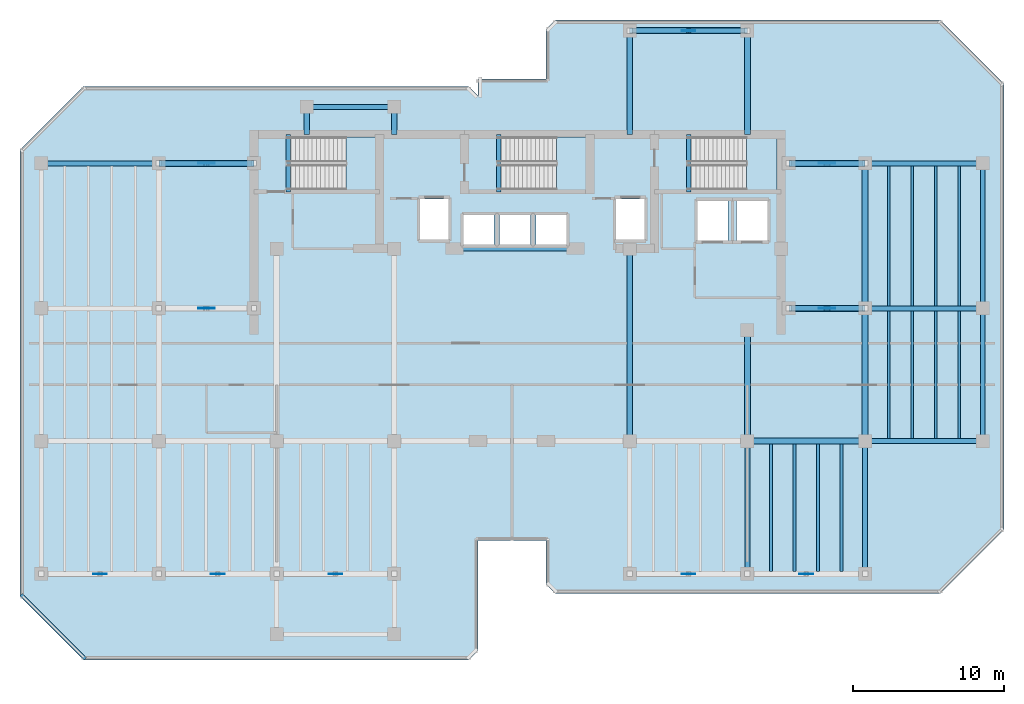
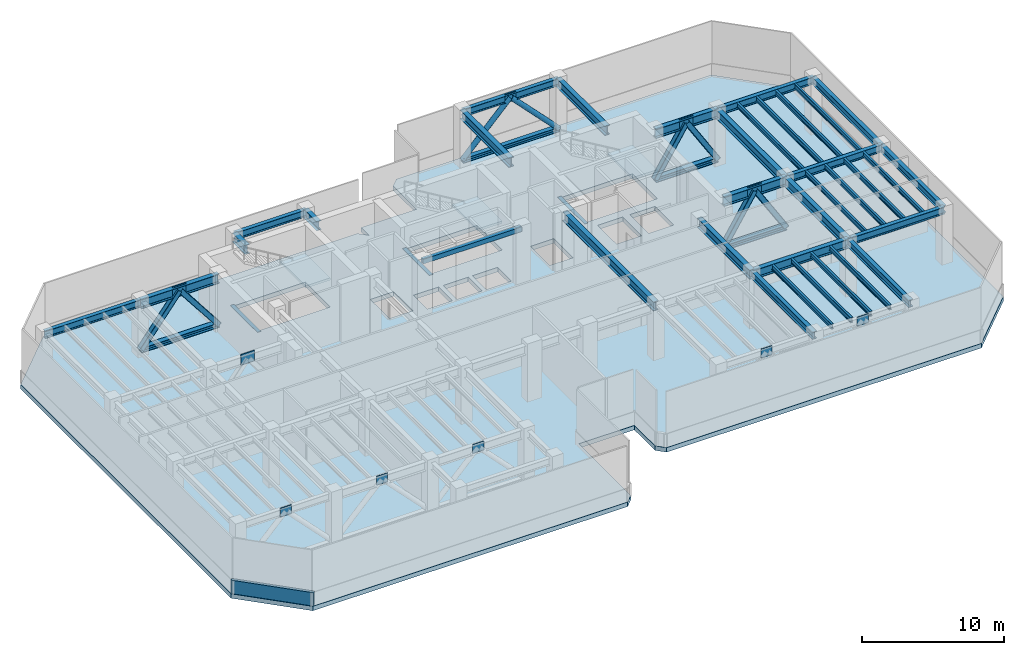
# One storey, part 2 of 9: 38 beams, 12 members, 10 plates, 4 slabs, 1 wall, 3 elements without a shape of their own.
"""IFC4 building model written with IfcOpenShell, lengths in metres."""

from ifc_helpers import new_model, si_unit, direction, frame, frame_2d, origin, origin_2d, place, context, subcontext, project, spatial, polyline, rectangle, hollow_rectangle, hollow_circle, i_section, outline, extrude, material, layer, layer_set, material_profile, profile_set, type_object, element, aggregate, save


model = new_model("IFC4")

# Units and contexts
model_context = context("Model", 3, precision=1e-05, world=origin(), true_north=direction((0.0, 1.0)))
body_context = subcontext(model_context, "Body", "Model", "MODEL_VIEW")
ifc_project = project(units=[si_unit("LENGTHUNIT", "METRE"), si_unit("AREAUNIT", "SQUARE_METRE"), si_unit("VOLUMEUNIT", "CUBIC_METRE"), si_unit("PLANEANGLEUNIT", "RADIAN"), si_unit("MASSUNIT", "GRAM", prefix="KILO")], contexts=[model_context])

# Site, building, storey
site_placement = place(None, origin())
site = spatial("IfcSite", under=ifc_project, at=site_placement, CompositionType="ELEMENT")
building_placement = place(site_placement, origin())
building = spatial("IfcBuilding", under=site, at=building_placement, Name="Kestravale Grand Hotel", CompositionType="ELEMENT")
storey_placement = place(building_placement, frame((0.0, 0.0, 240.39990234375)))
storey = spatial("IfcBuildingStorey", under=building, at=storey_placement, Name="L60", CompositionType="ELEMENT", Elevation=240.39990234375)

# Beams
ifc_material_1 = material(Name="Steel ASTM A992 Grade 50", Category="steel")
ifc_material_profile_1 = material_profile(ifc_material_1, i_section(OverallWidth=0.177978515625, OverallDepth=0.404052734375, WebThickness=0.007568359375, FlangeThickness=0.010986328125, FilletRadius=0.01416015625, at=origin_2d()))
ifc_profile_set_1 = profile_set([ifc_material_profile_1], Name="Steel ASTM A992 Grade 50")
beam_type_1 = type_object("IfcBeamType", Name="B-FLR-JST16", PredefinedType="JOIST", material=ifc_profile_set_1)
for number, where, z_axis, x_axis, name in (
    (1, (56.159912109375, 11.362548828125, 4.508056640625), (0.0, 1.0, 0.0), (-1.0, 0.0, 0.0), "L60 floor joist 9-10/C-D #1"),
    (2, (57.719970703125, 11.362548828125, 4.508056640625), (0.0, 1.0, 0.0), (-1.0, 0.0, 0.0), "L60 floor joist 9-10/C-D #2"),
    (3, (59.280029296875, 11.362548828125, 4.508056640625), (0.0, 1.0, 0.0), (-1.0, 0.0, 0.0), "L60 floor joist 9-10/C-D #3"),
    (4, (60.840087890625, 11.362548828125, 4.508056640625), (0.0, 1.0, 0.0), (-1.0, 0.0, 0.0), "L60 floor joist 9-10/C-D #4"),
):
    element("IfcBeam", number, at=place(storey_placement, frame(where, z_axis=z_axis, x_axis=x_axis)), inside=storey, type_object=beam_type_1, Name=name, PredefinedType="JOIST", context=body_context, shape_type="SweptSolid", body=[
        extrude(i_section(OverallWidth=0.177978515625, OverallDepth=0.404052734375, WebThickness=0.007568359375, FlangeThickness=0.010986328125, FilletRadius=0.01416015625, at=origin_2d()), origin(), (0.0, 0.0, 1.0), 8.447021484375),
    ])
for number, where, z_axis, x_axis, name in (
    (5, (63.9599609375, 20.16259765625, 4.508056640625), (0.0, 1.0, 0.0), (-1.0, 0.0, 0.0), "L60 floor joist 10-11/D-E #1"),
    (6, (65.52001953125, 20.16259765625, 4.508056640625), (0.0, 1.0, 0.0), (-1.0, 0.0, 0.0), "L60 floor joist 10-11/D-E #2"),
    (7, (67.080078125, 20.16259765625, 4.508056640625), (0.0, 1.0, 0.0), (-1.0, 0.0, 0.0), "L60 floor joist 10-11/D-E #3"),
    (8, (68.639892578125, 20.16259765625, 4.508056640625), (0.0, 1.0, 0.0), (-1.0, 0.0, 0.0), "L60 floor joist 10-11/D-E #4"),
):
    element("IfcBeam", number, at=place(storey_placement, frame(where, z_axis=z_axis, x_axis=x_axis)), inside=storey, type_object=beam_type_1, Name=name, PredefinedType="JOIST", context=body_context, shape_type="SweptSolid", body=[
        extrude(i_section(OverallWidth=0.177978515625, OverallDepth=0.404052734375, WebThickness=0.007568359375, FlangeThickness=0.010986328125, FilletRadius=0.01416015625, at=origin_2d()), origin(), (0.0, 0.0, 1.0), 8.474853515625),
    ])
for number, where, z_axis, x_axis, name in (
    (9, (63.9599609375, 28.96240234375, 4.508056640625), (0.0, 1.0, 0.0), (-1.0, 0.0, 0.0), "L60 floor joist 10-11/E-F #1"),
    (10, (65.52001953125, 28.96240234375, 4.508056640625), (0.0, 1.0, 0.0), (-1.0, 0.0, 0.0), "L60 floor joist 10-11/E-F #2"),
    (11, (67.080078125, 28.96240234375, 4.508056640625), (0.0, 1.0, 0.0), (-1.0, 0.0, 0.0), "L60 floor joist 10-11/E-F #3"),
    (12, (68.639892578125, 28.96240234375, 4.508056640625), (0.0, 1.0, 0.0), (-1.0, 0.0, 0.0), "L60 floor joist 10-11/E-F #4"),
):
    element("IfcBeam", number, at=place(storey_placement, frame(where, z_axis=z_axis, x_axis=x_axis)), inside=storey, type_object=beam_type_1, Name=name, PredefinedType="JOIST", context=body_context, shape_type="SweptSolid", body=[
        extrude(i_section(OverallWidth=0.177978515625, OverallDepth=0.404052734375, WebThickness=0.007568359375, FlangeThickness=0.010986328125, FilletRadius=0.01416015625, at=origin_2d()), origin(), (0.0, 0.0, 1.0), 9.275146484375),
    ])
ifc_material_2 = material(Name="Concrete f'c 45 MPa", Category="concrete")
ifc_material_profile_2 = material_profile(ifc_material_2, rectangle(XDim=0.300048828125, YDim=0.39990234375, at=origin_2d()))
ifc_profile_set_2 = profile_set([ifc_material_profile_2], Name="Concrete f'c 45 MPa")
beam_type_2 = type_object("IfcBeamType", Name="B-FLR-LNT400", PredefinedType="LINTEL", material=ifc_profile_set_2)
beam_1_placement = place(storey_placement, frame((35.199951171875, 32.75, 4.510009765625), z_axis=(1.0, 0.0, 0.0), x_axis=(0.0, 1.0, 0.0)))
element("IfcBeam", 13, at=beam_1_placement, inside=storey, type_object=beam_type_2, Name="L60 core portal header lintel", PredefinedType="LINTEL", context=body_context, shape_type="SweptSolid", body=[
    extrude(rectangle(XDim=0.300048828125, YDim=0.39990234375, at=origin_2d()), origin(), (0.0, 0.0, 1.0), 8.0),
])
for number, where, z_axis, x_axis, name in (
    (14, (24.159912109375, 36.52001953125, -0.199951171875), (0.0, 1.0, 0.0), (-1.0, 0.0, 0.0), "L60 ST1 flight bottom header beam"),
    (15, (38.110107421875, 36.52001953125, -0.199951171875), (0.0, 1.0, 0.0), (-1.0, 0.0, 0.0), "L60 ST2 flight bottom header beam"),
    (16, (50.7099609375, 36.52001953125, -0.199951171875), (0.0, 1.0, 0.0), (-1.0, 0.0, 0.0), "L60 ST3 flight bottom header beam"),
):
    element("IfcBeam", number, at=place(storey_placement, frame(where, z_axis=z_axis, x_axis=x_axis)), inside=storey, type_object=beam_type_2, Name=name, PredefinedType="LINTEL", context=body_context, shape_type="SweptSolid", body=[
        extrude(rectangle(XDim=0.300048828125, YDim=0.39990234375, at=origin_2d()), origin(), (0.0, 0.0, 1.0), 3.800048828125),
    ])
ifc_material_3 = material(Name="Steel ASTM A992 Grade 50", Category="steel")
ifc_material_profile_3 = material_profile(ifc_material_3, i_section(OverallWidth=0.324951171875, OverallDepth=0.612060546875, WebThickness=0.0126953125, FlangeThickness=0.01904296875, FilletRadius=0.018798828125, at=origin_2d()))
ifc_profile_set_3 = profile_set([ifc_material_profile_3], Name="Steel ASTM A992 Grade 50")
beam_type_3 = type_object("IfcBeamType", Name="B-FLR-W24A", PredefinedType="SPANDREL", material=ifc_profile_set_3)
for number, where, z_axis, x_axis, name in (
    (17, (62.39990234375, 20.0, 4.404052734375), (1.0, 0.0, 0.0), (0.0, 1.0, 0.0), "L60 spandrel D:10-11"),
    (18, (62.39990234375, 28.800048828125, 4.404052734375), (1.0, 0.0, 0.0), (0.0, 1.0, 0.0), "L60 spandrel E:10-11"),
    (19, (7.800048828125, 38.39990234375, 4.404052734375), (1.0, 0.0, 0.0), (0.0, 1.0, 0.0), "L60 spandrel F:2-3"),
    (20, (62.39990234375, 38.39990234375, 4.404052734375), (1.0, 0.0, 0.0), (0.0, 1.0, 0.0), "L60 spandrel F:10-11"),
    (21, (46.800048828125, 47.199951171875, 4.404052734375), (1.0, 0.0, 0.0), (0.0, 1.0, 0.0), "L60 spandrel G:8-9"),
):
    element("IfcBeam", number, at=place(storey_placement, frame(where, z_axis=z_axis, x_axis=x_axis)), inside=storey, type_object=beam_type_3, Name=name, PredefinedType="SPANDREL", context=body_context, shape_type="SweptSolid", body=[
        extrude(i_section(OverallWidth=0.324951171875, OverallDepth=0.612060546875, WebThickness=0.0126953125, FlangeThickness=0.01904296875, FilletRadius=0.018798828125, at=origin_2d()), origin(), (0.0, 0.0, 1.0), 7.800048828125),
    ])
beam_2_placement = place(storey_placement, frame((25.39990234375, 42.14990234375, 4.404052734375), z_axis=(1.0, 0.0, 0.0), x_axis=(0.0, 1.0, 0.0)))
element("IfcBeam", 22, at=beam_2_placement, inside=storey, type_object=beam_type_3, Name="L60 perimeter tie spandrel FN:4-5", PredefinedType="SPANDREL", context=body_context, shape_type="SweptSolid", body=[
    extrude(i_section(OverallWidth=0.324951171875, OverallDepth=0.612060546875, WebThickness=0.0126953125, FlangeThickness=0.01904296875, FilletRadius=0.018798828125, at=origin_2d()), origin(), (0.0, 0.0, 1.0), 5.800048828125),
])
for number, where, z_axis, x_axis, name in (
    (23, (54.60009765625, 11.199951171875, 4.404052734375), (0.0, 1.0, 0.0), (-1.0, 0.0, 0.0), "L60 spandrel 9:C-D"),
    (24, (62.39990234375, 11.199951171875, 4.404052734375), (0.0, 1.0, 0.0), (-1.0, 0.0, 0.0), "L60 spandrel 10:C-D"),
    (25, (70.199951171875, 20.0, 4.404052734375), (0.0, 1.0, 0.0), (-1.0, 0.0, 0.0), "L60 spandrel 11:D-E"),
):
    element("IfcBeam", number, at=place(storey_placement, frame(where, z_axis=z_axis, x_axis=x_axis)), inside=storey, type_object=beam_type_3, Name=name, PredefinedType="SPANDREL", context=body_context, shape_type="SweptSolid", body=[
        extrude(i_section(OverallWidth=0.324951171875, OverallDepth=0.612060546875, WebThickness=0.0126953125, FlangeThickness=0.01904296875, FilletRadius=0.018798828125, at=origin_2d()), origin(), (0.0, 0.0, 1.0), 8.800048828125),
    ])
beam_3_placement = place(storey_placement, frame((70.199951171875, 28.800048828125, 4.404052734375), z_axis=(0.0, 1.0, 0.0), x_axis=(-1.0, 0.0, 0.0)))
element("IfcBeam", 26, at=beam_3_placement, inside=storey, type_object=beam_type_3, Name="L60 spandrel 11:E-F", PredefinedType="SPANDREL", context=body_context, shape_type="SweptSolid", body=[
    extrude(i_section(OverallWidth=0.324951171875, OverallDepth=0.612060546875, WebThickness=0.0126953125, FlangeThickness=0.01904296875, FilletRadius=0.018798828125, at=origin_2d()), origin(), (0.0, 0.0, 1.0), 9.599853515625),
])
ifc_material_4 = material(Name="Steel ASTM A992 Grade 50", Category="steel")
ifc_material_profile_4 = material_profile(ifc_material_4, i_section(OverallWidth=0.381103515625, OverallDepth=0.77197265625, WebThickness=0.0166015625, FlangeThickness=0.027099609375, FilletRadius=0.023681640625, at=origin_2d()))
ifc_profile_set_4 = profile_set([ifc_material_profile_4], Name="Steel ASTM A992 Grade 50")
beam_type_4 = type_object("IfcBeamType", Name="B-GRD-W30", PredefinedType="BEAM", material=ifc_profile_set_4)
beam_4_placement = place(storey_placement, frame((54.60009765625, 20.0, 4.32421875), z_axis=(1.0, 0.0, 0.0), x_axis=(0.0, 1.0, 0.0)))
element("IfcBeam", 27, at=beam_4_placement, inside=storey, type_object=beam_type_4, Name="L60 girder D:9-10", PredefinedType="BEAM", context=body_context, shape_type="SweptSolid", body=[
    extrude(i_section(OverallWidth=0.381103515625, OverallDepth=0.77197265625, WebThickness=0.0166015625, FlangeThickness=0.027099609375, FilletRadius=0.023681640625, at=origin_2d()), origin(), (0.0, 0.0, 1.0), 7.7998046875),
])
beam_5_placement = place(storey_placement, frame((57.35009765625, 28.800048828125, 4.32421875), z_axis=(1.0, 0.0, 0.0), x_axis=(0.0, 1.0, 0.0)))
element("IfcBeam", 28, at=beam_5_placement, inside=storey, type_object=beam_type_4, Name="L60 girder E:CE-10", PredefinedType="BEAM", context=body_context, shape_type="SweptSolid", body=[
    extrude(i_section(OverallWidth=0.381103515625, OverallDepth=0.77197265625, WebThickness=0.0166015625, FlangeThickness=0.027099609375, FilletRadius=0.023681640625, at=origin_2d()), origin(), (0.0, 0.0, 1.0), 5.0498046875),
])
beam_6_placement = place(storey_placement, frame((15.60009765625, 38.39990234375, 4.32421875), z_axis=(1.0, 0.0, 0.0), x_axis=(0.0, 1.0, 0.0)))
element("IfcBeam", 29, at=beam_6_placement, inside=storey, type_object=beam_type_4, Name="L60 girder F:3-CW", PredefinedType="BEAM", context=body_context, shape_type="SweptSolid", body=[
    extrude(i_section(OverallWidth=0.381103515625, OverallDepth=0.77197265625, WebThickness=0.0166015625, FlangeThickness=0.027099609375, FilletRadius=0.023681640625, at=origin_2d()), origin(), (0.0, 0.0, 1.0), 6.2998046875),
])
beam_7_placement = place(storey_placement, frame((57.35009765625, 38.39990234375, 4.32421875), z_axis=(1.0, 0.0, 0.0), x_axis=(0.0, 1.0, 0.0)))
element("IfcBeam", 30, at=beam_7_placement, inside=storey, type_object=beam_type_4, Name="L60 girder F:CE-10", PredefinedType="BEAM", context=body_context, shape_type="SweptSolid", body=[
    extrude(i_section(OverallWidth=0.381103515625, OverallDepth=0.77197265625, WebThickness=0.0166015625, FlangeThickness=0.027099609375, FilletRadius=0.023681640625, at=origin_2d()), origin(), (0.0, 0.0, 1.0), 5.0498046875),
])
beam_8_placement = place(storey_placement, frame((46.800048828125, 20.0, 4.32421875), z_axis=(0.0, 1.0, 0.0), x_axis=(-1.0, 0.0, 0.0)))
element("IfcBeam", 31, at=beam_8_placement, inside=storey, type_object=beam_type_4, Name="L60 girder 8:D-CS", PredefinedType="BEAM", context=body_context, shape_type="SweptSolid", body=[
    extrude(i_section(OverallWidth=0.381103515625, OverallDepth=0.77197265625, WebThickness=0.0166015625, FlangeThickness=0.027099609375, FilletRadius=0.023681640625, at=origin_2d()), origin(), (0.0, 0.0, 1.0), 12.75),
])
beam_9_placement = place(storey_placement, frame((54.60009765625, 20.0, 4.32421875), z_axis=(0.0, 1.0, 0.0), x_axis=(-1.0, 0.0, 0.0)))
element("IfcBeam", 32, at=beam_9_placement, inside=storey, type_object=beam_type_4, Name="L60 girder 9:D-CS", PredefinedType="BEAM", context=body_context, shape_type="SweptSolid", body=[
    extrude(i_section(OverallWidth=0.381103515625, OverallDepth=0.77197265625, WebThickness=0.0166015625, FlangeThickness=0.027099609375, FilletRadius=0.023681640625, at=origin_2d()), origin(), (0.0, 0.0, 1.0), 7.35009765625),
])
beam_10_placement = place(storey_placement, frame((62.39990234375, 20.0, 4.32421875), z_axis=(0.0, 1.0, 0.0), x_axis=(-1.0, 0.0, 0.0)))
element("IfcBeam", 33, at=beam_10_placement, inside=storey, type_object=beam_type_4, Name="L60 girder 10:D-E", PredefinedType="BEAM", context=body_context, shape_type="SweptSolid", body=[
    extrude(i_section(OverallWidth=0.381103515625, OverallDepth=0.77197265625, WebThickness=0.0166015625, FlangeThickness=0.027099609375, FilletRadius=0.023681640625, at=origin_2d()), origin(), (0.0, 0.0, 1.0), 8.800048828125),
])
beam_11_placement = place(storey_placement, frame((62.39990234375, 28.800048828125, 4.32421875), z_axis=(0.0, 1.0, 0.0), x_axis=(-1.0, 0.0, 0.0)))
element("IfcBeam", 34, at=beam_11_placement, inside=storey, type_object=beam_type_4, Name="L60 girder 10:E-F", PredefinedType="BEAM", context=body_context, shape_type="SweptSolid", body=[
    extrude(i_section(OverallWidth=0.381103515625, OverallDepth=0.77197265625, WebThickness=0.0166015625, FlangeThickness=0.027099609375, FilletRadius=0.023681640625, at=origin_2d()), origin(), (0.0, 0.0, 1.0), 9.599853515625),
])
for number, where, z_axis, x_axis, name in (
    (35, (25.39990234375, 40.320068359375, 4.32421875), (0.0, 1.0, 0.0), (-1.0, 0.0, 0.0), "L60 north wing tie girder 4:CN-FN"),
    (36, (31.199951171875, 40.320068359375, 4.32421875), (0.0, 1.0, 0.0), (-1.0, 0.0, 0.0), "L60 north wing tie girder 5:CN-FN"),
):
    element("IfcBeam", number, at=place(storey_placement, frame(where, z_axis=z_axis, x_axis=x_axis)), inside=storey, type_object=beam_type_4, Name=name, PredefinedType="BEAM", context=body_context, shape_type="SweptSolid", body=[
        extrude(i_section(OverallWidth=0.381103515625, OverallDepth=0.77197265625, WebThickness=0.0166015625, FlangeThickness=0.027099609375, FilletRadius=0.023681640625, at=origin_2d()), origin(), (0.0, 0.0, 1.0), 1.829833984375),
    ])
for number, where, z_axis, x_axis, name in (
    (37, (46.800048828125, 40.320068359375, 4.32421875), (0.0, 1.0, 0.0), (-1.0, 0.0, 0.0), "L60 north wing tie girder 8:CN-G"),
    (38, (54.60009765625, 40.320068359375, 4.32421875), (0.0, 1.0, 0.0), (-1.0, 0.0, 0.0), "L60 north wing tie girder 9:CN-G"),
):
    element("IfcBeam", number, at=place(storey_placement, frame(where, z_axis=z_axis, x_axis=x_axis)), inside=storey, type_object=beam_type_4, Name=name, PredefinedType="BEAM", context=body_context, shape_type="SweptSolid", body=[
        extrude(i_section(OverallWidth=0.381103515625, OverallDepth=0.77197265625, WebThickness=0.0166015625, FlangeThickness=0.027099609375, FilletRadius=0.023681640625, at=origin_2d()), origin(), (0.0, 0.0, 1.0), 6.8798828125),
    ])

# Members
ifc_material_5 = material(Name="Steel ASTM A992 Grade 50", Category="steel")
ifc_material_profile_5 = material_profile(ifc_material_5, i_section(OverallWidth=0.373046875, OverallDepth=0.373046875, WebThickness=0.016357421875, FlangeThickness=0.026123046875, FilletRadius=0.016845703125, at=origin_2d()))
ifc_profile_set_5 = profile_set([ifc_material_profile_5], Name="Steel ASTM A992 Grade 50")
member_type_1 = type_object("IfcMemberType", Name="M-BLT-CHD132", PredefinedType="CHORD", material=ifc_profile_set_5)
member_1_placement = place(storey_placement, frame((46.800048828125, 47.199951171875, 0.35009765625), z_axis=(1.0, 0.0, 0.0), x_axis=(0.0, 1.0, 0.0)))
element("IfcMember", 39, at=member_1_placement, inside=storey, type_object=member_type_1, Name="L60 belt truss bottom chord G:8-9", PredefinedType="CHORD", context=body_context, shape_type="SweptSolid", body=[
    extrude(i_section(OverallWidth=0.373046875, OverallDepth=0.373046875, WebThickness=0.016357421875, FlangeThickness=0.026123046875, FilletRadius=0.016845703125, at=origin_2d()), origin(), (0.0, 0.0, 1.0), 7.800048828125),
])
ifc_material_6 = material(Name="Steel ASTM A992 Grade 50", Category="steel")
ifc_material_profile_6 = material_profile(ifc_material_6, i_section(OverallWidth=0.39892578125, OverallDepth=0.39404296875, WebThickness=0.022705078125, FlangeThickness=0.03662109375, FilletRadius=0.016357421875, at=origin_2d()))
ifc_profile_set_6 = profile_set([ifc_material_profile_6], Name="Steel ASTM A992 Grade 50")
member_type_2 = type_object("IfcMemberType", Name="M-BLT-CHD193", PredefinedType="CHORD", material=ifc_profile_set_6)
member_2_placement = place(storey_placement, frame((57.35009765625, 28.800048828125, 0.35009765625), z_axis=(1.0, 0.0, 0.0), x_axis=(0.0, 1.0, 0.0)))
element("IfcMember", 40, at=member_2_placement, inside=storey, type_object=member_type_2, Name="L60 east outrigger bottom chord E", PredefinedType="CHORD", context=body_context, shape_type="SweptSolid", body=[
    extrude(i_section(OverallWidth=0.39892578125, OverallDepth=0.39404296875, WebThickness=0.022705078125, FlangeThickness=0.03662109375, FilletRadius=0.016357421875, at=origin_2d()), origin(), (0.0, 0.0, 1.0), 5.0498046875),
])
member_3_placement = place(storey_placement, frame((15.60009765625, 38.39990234375, 0.35009765625), z_axis=(1.0, 0.0, 0.0), x_axis=(0.0, 1.0, 0.0)))
element("IfcMember", 41, at=member_3_placement, inside=storey, type_object=member_type_2, Name="L60 west outrigger bottom chord F", PredefinedType="CHORD", context=body_context, shape_type="SweptSolid", body=[
    extrude(i_section(OverallWidth=0.39892578125, OverallDepth=0.39404296875, WebThickness=0.022705078125, FlangeThickness=0.03662109375, FilletRadius=0.016357421875, at=origin_2d()), origin(), (0.0, 0.0, 1.0), 6.2998046875),
])
member_4_placement = place(storey_placement, frame((57.35009765625, 38.39990234375, 0.35009765625), z_axis=(1.0, 0.0, 0.0), x_axis=(0.0, 1.0, 0.0)))
element("IfcMember", 42, at=member_4_placement, inside=storey, type_object=member_type_2, Name="L60 east outrigger bottom chord F", PredefinedType="CHORD", context=body_context, shape_type="SweptSolid", body=[
    extrude(i_section(OverallWidth=0.39892578125, OverallDepth=0.39404296875, WebThickness=0.022705078125, FlangeThickness=0.03662109375, FilletRadius=0.016357421875, at=origin_2d()), origin(), (0.0, 0.0, 1.0), 5.0498046875),
])
ifc_material_7 = material(Name="Steel ASTM A500 Grade C", Category="steel")
ifc_material_profile_7 = material_profile(ifc_material_7, hollow_circle(Radius=0.203125, WallThickness=0.01611328125, at=origin_2d()))
ifc_profile_set_7 = profile_set([ifc_material_profile_7], Name="Steel ASTM A500 Grade C")
member_type_3 = type_object("IfcMemberType", Name="M-BLT-CHS406", PredefinedType="BRACE", material=ifc_profile_set_7)
for number, where, z_axis, x_axis, name in (
    (43, (46.800048828125, 47.199951171875, 0.35009765625), (0.694897607575, 0.0, 0.719108694835), (0.0, 1.0, 0.0), "L60 belt truss diagonal G:8-9 L"),
    (44, (54.60009765625, 47.199951171875, 0.35009765625), (-0.694897607575, 0.0, 0.719108694835), (0.0, -1.0, 0.0), "L60 belt truss diagonal G:8-9 R"),
):
    element("IfcMember", number, at=place(storey_placement, frame(where, z_axis=z_axis, x_axis=x_axis)), inside=storey, type_object=member_type_3, Name=name, PredefinedType="BRACE", context=body_context, shape_type="SweptSolid", body=[
        extrude(hollow_circle(Radius=0.203125, WallThickness=0.01611328125, at=origin_2d()), origin(), (0.0, 0.0, 1.0), 5.576416015625),
    ])
ifc_material_8 = material(Name="Steel ASTM A500 Grade C", Category="steel")
ifc_material_profile_8 = material_profile(ifc_material_8, hollow_rectangle(XDim=0.39990234375, YDim=0.39990234375, WallThickness=0.02001953125, InnerFilletRadius=0.02001953125, OuterFilletRadius=0.0400390625, at=origin_2d()))
ifc_profile_set_8 = profile_set([ifc_material_profile_8], Name="Steel ASTM A500 Grade C")
member_type_4 = type_object("IfcMemberType", Name="M-OUT-HSS400", PredefinedType="BRACE", material=ifc_profile_set_8)
for number, where, z_axis, x_axis, name in (
    (45, (57.35009765625, 28.800048828125, 0.35009765625), (0.529046582217, 0.0, 0.848592784464), (0.0, 1.0, 0.0), "L60 east outrigger brace E-1"),
    (46, (62.39990234375, 28.800048828125, 0.35009765625), (-0.529046582217, 0.0, 0.848592784464), (0.0, -1.0, 0.0), "L60 east outrigger brace E-2"),
):
    element("IfcMember", number, at=place(storey_placement, frame(where, z_axis=z_axis, x_axis=x_axis)), inside=storey, type_object=member_type_4, Name=name, PredefinedType="BRACE", context=body_context, shape_type="SweptSolid", body=[
        extrude(hollow_rectangle(XDim=0.39990234375, YDim=0.39990234375, WallThickness=0.02001953125, InnerFilletRadius=0.02001953125, OuterFilletRadius=0.0400390625, at=origin_2d()), origin(), (0.0, 0.0, 1.0), 4.7255859375),
    ])
for number, where, z_axis, x_axis, name in (
    (47, (21.89990234375, 38.39990234375, 0.35009765625), (-0.614688381085, 0.0, 0.78877005151), (0.0, -1.0, 0.0), "L60 west outrigger brace F-1"),
    (48, (15.60009765625, 38.39990234375, 0.35009765625), (0.614688381085, 0.0, 0.78877005151), (0.0, 1.0, 0.0), "L60 west outrigger brace F-2"),
):
    element("IfcMember", number, at=place(storey_placement, frame(where, z_axis=z_axis, x_axis=x_axis)), inside=storey, type_object=member_type_4, Name=name, PredefinedType="BRACE", context=body_context, shape_type="SweptSolid", body=[
        extrude(hollow_rectangle(XDim=0.39990234375, YDim=0.39990234375, WallThickness=0.02001953125, InnerFilletRadius=0.02001953125, OuterFilletRadius=0.0400390625, at=origin_2d()), origin(), (0.0, 0.0, 1.0), 5.083984375),
    ])
for number, where, z_axis, x_axis, name in (
    (49, (57.35009765625, 38.39990234375, 0.35009765625), (0.529046582217, 0.0, 0.848592784464), (0.0, 1.0, 0.0), "L60 east outrigger brace F-1"),
    (50, (62.39990234375, 38.39990234375, 0.35009765625), (-0.529046582217, 0.0, 0.848592784464), (0.0, -1.0, 0.0), "L60 east outrigger brace F-2"),
):
    element("IfcMember", number, at=place(storey_placement, frame(where, z_axis=z_axis, x_axis=x_axis)), inside=storey, type_object=member_type_4, Name=name, PredefinedType="BRACE", context=body_context, shape_type="SweptSolid", body=[
        extrude(hollow_rectangle(XDim=0.39990234375, YDim=0.39990234375, WallThickness=0.02001953125, InnerFilletRadius=0.02001953125, OuterFilletRadius=0.0400390625, at=origin_2d()), origin(), (0.0, 0.0, 1.0), 4.7255859375),
    ])

# Plates
ifc_material_9 = material(Name="Steel ASTM A572 Grade 50", Category="steel")
ifc_layer_1 = layer(ifc_material_9, 0.044921875)
ifc_layer_set_1 = layer_set([ifc_layer_1], Name="PL-GUS-45")
plate_type_1 = type_object("IfcPlateType", Name="PL-GUS-45", PredefinedType="USERDEFINED", material=ifc_layer_set_1)
for number, where, z_axis, x_axis, name in (
    (51, (11.699951171875, 11.199951171875, 3.985107421875), (0.0, 0.0, 1.0), (1.0, 0.0, 0.0), "L60 belt truss gusset C:2-3"),
    (52, (19.5, 11.199951171875, 3.985107421875), (0.0, 0.0, 1.0), (1.0, 0.0, 0.0), "L60 belt truss gusset C:3-4"),
    (53, (27.300048828125, 11.199951171875, 3.985107421875), (0.0, 0.0, 1.0), (1.0, 0.0, 0.0), "L60 belt truss gusset C:4-5"),
    (54, (50.699951171875, 11.199951171875, 3.985107421875), (0.0, 0.0, 1.0), (1.0, 0.0, 0.0), "L60 belt truss gusset C:8-9"),
    (55, (58.5, 11.199951171875, 3.985107421875), (0.0, 0.0, 1.0), (1.0, 0.0, 0.0), "L60 belt truss gusset C:9-10"),
    (56, (50.699951171875, 47.199951171875, 3.985107421875), (0.0, 0.0, 1.0), (1.0, 0.0, 0.0), "L60 belt truss gusset G:8-9"),
):
    element("IfcPlate", number, at=place(storey_placement, frame(where, z_axis=z_axis, x_axis=x_axis)), inside=storey, type_object=plate_type_1, Name=name, ObjectType="GUSSET PLATE", PredefinedType="USERDEFINED", context=body_context, shape_type="SweptSolid", body=[
        extrude(rectangle(XDim=0.89990234375, YDim=0.044921875, at=origin_2d()), origin(), (0.0, 0.0, 1.0), 0.75),
    ])
ifc_material_10 = material(Name="Steel ASTM A572 Grade 50", Category="steel")
ifc_layer_2 = layer(ifc_material_10, 0.06005859375)
ifc_layer_set_2 = layer_set([ifc_layer_2], Name="PL-GUS-60")
plate_type_2 = type_object("IfcPlateType", Name="PL-GUS-60", PredefinedType="USERDEFINED", material=ifc_layer_set_2)
for number, where, z_axis, x_axis, name in (
    (57, (18.75, 28.800048828125, 3.91015625), (0.0, 0.0, 1.0), (1.0, 0.0, 0.0), "L60 outrigger gusset plate W-E"),
    (58, (59.875, 28.800048828125, 3.91015625), (0.0, 0.0, 1.0), (1.0, 0.0, 0.0), "L60 outrigger gusset plate E-E"),
    (59, (18.75, 38.39990234375, 3.91015625), (0.0, 0.0, 1.0), (1.0, 0.0, 0.0), "L60 outrigger gusset plate W-F"),
    (60, (59.875, 38.39990234375, 3.91015625), (0.0, 0.0, 1.0), (1.0, 0.0, 0.0), "L60 outrigger gusset plate E-F"),
):
    element("IfcPlate", number, at=place(storey_placement, frame(where, z_axis=z_axis, x_axis=x_axis)), inside=storey, type_object=plate_type_2, Name=name, ObjectType="GUSSET PLATE", PredefinedType="USERDEFINED", context=body_context, shape_type="SweptSolid", body=[
        extrude(rectangle(XDim=1.10009765625, YDim=0.06005859375, at=origin_2d()), origin(), (0.0, 0.0, 1.0), 0.89990234375),
    ])

# Stair, slab
ifc_material_11 = material(Name="Concrete f'c 45 MPa", Category="concrete")
stair_type = type_object("IfcStairType", Name="ST-CORE-500", PredefinedType="HALF_TURN_STAIR", material=ifc_material_11)
stair_1_placement = place(storey_placement, origin())
stair_1 = element("IfcStair", 61, at=stair_1_placement, inside=storey, type_object=stair_type, Name="L60 ST-1", PredefinedType="HALF_TURN_STAIR")
ifc_material_12 = material(Name="Concrete f'c 45 MPa", Category="concrete")
ifc_layer_3 = layer(ifc_material_12, 0.199951171875)
ifc_layer_set_3 = layer_set([ifc_layer_3], Name="SLB-ST-LND200")
slab_type_1 = type_object("IfcSlabType", Name="SLB-ST-LND200", PredefinedType="LANDING", material=ifc_layer_set_3)
slab_1_placement = place(storey_placement, frame((0.0, 0.0, 2.300048828125)))
slab_1 = element("IfcSlab", 62, at=slab_1_placement, type_object=slab_type_1, Name="ST-1 landing 1", PredefinedType="LANDING", context=body_context, shape_type="SweptSolid", body=[
    extrude(outline(polyline([(28.0, 36.64990234375), (30.0, 36.64990234375), (30.0, 40.159912109375), (28.0, 40.159912109375), (28.0, 36.64990234375)])), origin(), (0.0, 0.0, 1.0), 0.199951171875),
])
aggregate(stair_1, [slab_1])

stair_2_placement = place(storey_placement, origin())
stair_2 = element("IfcStair", 63, at=stair_2_placement, inside=storey, type_object=stair_type, Name="L60 ST-2", PredefinedType="HALF_TURN_STAIR")
slab_2_placement = place(storey_placement, frame((0.0, 0.0, 2.300048828125)))
slab_2 = element("IfcSlab", 64, at=slab_2_placement, type_object=slab_type_1, Name="ST-2 landing 1", PredefinedType="LANDING", context=body_context, shape_type="SweptSolid", body=[
    extrude(outline(polyline([(41.949951171875, 36.64990234375), (43.949951171875, 36.64990234375), (43.949951171875, 40.159912109375), (41.949951171875, 40.159912109375), (41.949951171875, 36.64990234375)])), origin(), (0.0, 0.0, 1.0), 0.199951171875),
])
aggregate(stair_2, [slab_2])

stair_3_placement = place(storey_placement, origin())
stair_3 = element("IfcStair", 65, at=stair_3_placement, inside=storey, type_object=stair_type, Name="L60 ST-3", PredefinedType="HALF_TURN_STAIR")
slab_3_placement = place(storey_placement, frame((0.0, 0.0, 2.300048828125)))
slab_3 = element("IfcSlab", 66, at=slab_3_placement, type_object=slab_type_1, Name="ST-3 landing 1", PredefinedType="LANDING", context=body_context, shape_type="SweptSolid", body=[
    extrude(outline(polyline([(54.550048828125, 36.64990234375), (56.550048828125, 36.64990234375), (56.550048828125, 40.159912109375), (54.550048828125, 40.159912109375), (54.550048828125, 36.64990234375)])), origin(), (0.0, 0.0, 1.0), 0.199951171875),
])
aggregate(stair_3, [slab_3])

# Slab
ifc_material_13 = material(Name="Concrete f'c 45 MPa", Category="concrete")
ifc_layer_4 = layer(ifc_material_13, 0.3798828125)
ifc_layer_set_4 = layer_set([ifc_layer_4], Name="SS-TRN-380")
slab_type_2 = type_object("IfcSlabType", Name="SS-TRN-380", PredefinedType="FLOOR", material=ifc_layer_set_4)
slab_4_placement = place(storey_placement, frame((0.0, 0.0, -0.3798828125)))
element("IfcSlab", 67, at=slab_4_placement, inside=storey, type_object=slab_type_2, Name="L60 structural floor slab", PredefinedType="FLOOR", context=body_context, shape_type="SweptSolid", body=[
    extrude(outline(polyline([(10.60009765625, 5.5), (36.14990234375, 5.5), (36.75, 6.10009765625), (36.75, 13.39990234375), (41.25, 13.39990234375), (41.25, 10.5), (41.85009765625, 9.89990234375), (67.39990234375, 9.89990234375), (71.60009765625, 14.10009765625), (71.60009765625, 43.699951171875), (67.39990234375, 47.89990234375), (41.85009765625, 47.89990234375), (41.25, 47.300048828125), (41.25, 44.0), (36.75, 44.0), (36.75, 42.89990234375), (36.14990234375, 43.5), (10.60009765625, 43.5), (6.39990234375, 39.300048828125), (6.39990234375, 9.699951171875), (10.60009765625, 5.5)]), holes=[polyline([(24.080078125, 36.64990234375), (30.0, 36.64990234375), (30.0, 40.159912109375), (24.080078125, 40.159912109375), (24.080078125, 36.64990234375)]), polyline([(38.030029296875, 36.64990234375), (43.949951171875, 36.64990234375), (43.949951171875, 40.159912109375), (38.030029296875, 40.159912109375), (38.030029296875, 36.64990234375)]), polyline([(50.6298828125, 36.64990234375), (56.550048828125, 36.64990234375), (56.550048828125, 40.159912109375), (50.6298828125, 40.159912109375), (50.6298828125, 36.64990234375)]), polyline([(35.780029296875, 33.030029296875), (37.820068359375, 33.030029296875), (37.820068359375, 34.969970703125), (35.780029296875, 34.969970703125), (35.780029296875, 33.030029296875)]), polyline([(38.179931640625, 33.030029296875), (40.219970703125, 33.030029296875), (40.219970703125, 34.969970703125), (38.179931640625, 34.969970703125), (38.179931640625, 33.030029296875)]), polyline([(40.580078125, 33.030029296875), (42.6201171875, 33.030029296875), (42.6201171875, 34.969970703125), (40.580078125, 34.969970703125), (40.580078125, 33.030029296875)]), polyline([(32.905029296875, 33.35498046875), (34.794921875, 33.35498046875), (34.794921875, 36.044921875), (32.905029296875, 36.044921875), (32.905029296875, 33.35498046875)]), polyline([(45.905029296875, 33.35498046875), (47.794921875, 33.35498046875), (47.794921875, 36.044921875), (45.905029296875, 36.044921875), (45.905029296875, 33.35498046875)]), polyline([(51.280029296875, 33.280029296875), (53.320068359375, 33.280029296875), (53.320068359375, 35.919921875), (51.280029296875, 35.919921875), (51.280029296875, 33.280029296875)]), polyline([(53.8798828125, 33.280029296875), (55.919921875, 33.280029296875), (55.919921875, 35.919921875), (53.8798828125, 35.919921875), (53.8798828125, 33.280029296875)])]), origin(), (0.0, 0.0, 1.0), 0.3798828125),
])

# Wall
ifc_material_14 = material(Name="Precast concrete f'c 45 MPa", Category="concrete")
ifc_layer_5 = layer(ifc_material_14, 0.219970703125)
ifc_layer_set_5 = layer_set([ifc_layer_5], Name="EW-PAR-220")
wall_type = type_object("IfcWallType", Name="EW-PAR-220", PredefinedType="PARAPET", material=ifc_layer_set_5)
wall_placement = place(storey_placement, frame((6.470703125, 9.827392578125, 0.0), z_axis=(0.0, 0.0, 1.0), x_axis=(0.707106781187, -0.707106781187, 0.0)))
element("IfcWall", 68, at=wall_placement, inside=storey, type_object=wall_type, Name="L60 refuge band parapet wall 20", PredefinedType="PARAPET", context=body_context, shape_type="SweptSolid", body=[
    extrude(rectangle(XDim=6.019775390625, YDim=0.219970703125, at=frame_2d((3.009765625, 0.0))), origin(), (0.0, 0.0, 1.0), 1.150146484375),
])

save(model, "model.ifc")
